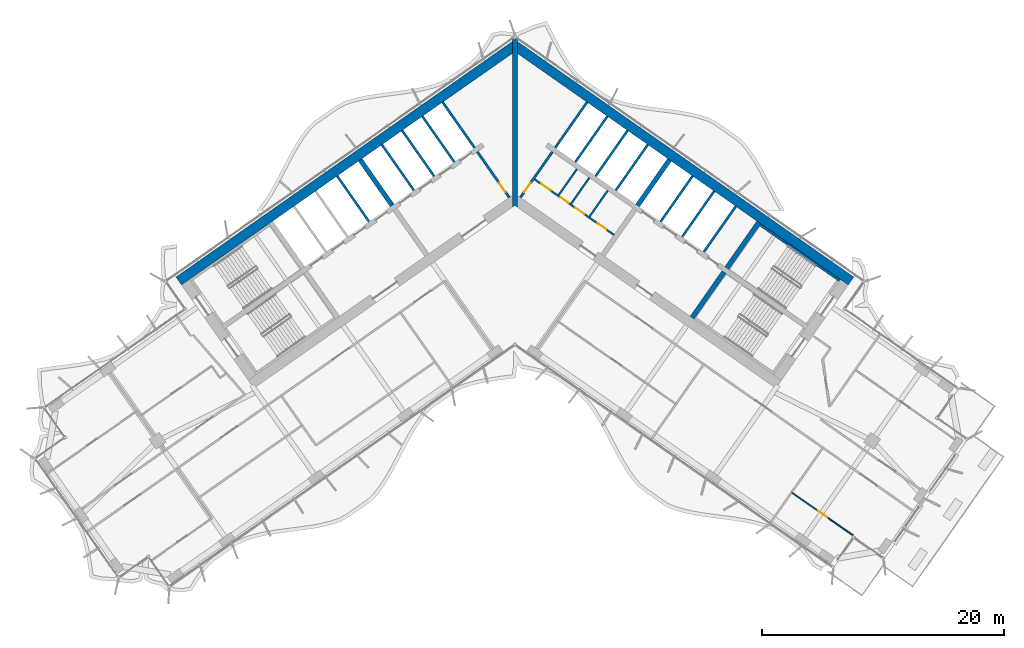
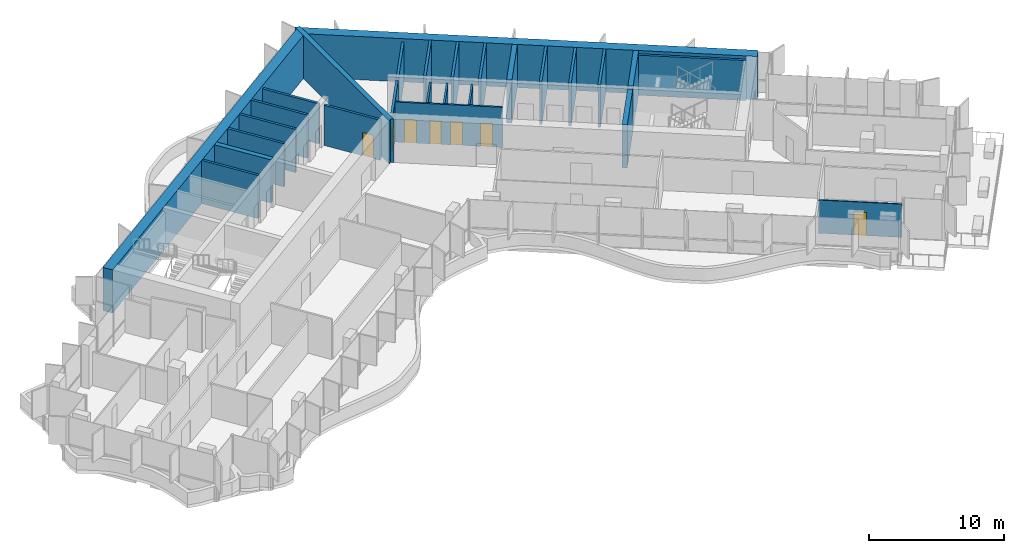
# One storey, part 14 of 22: 27 walls, 7 doors, 7 openings.
"""IFC4 building model written with IfcOpenShell, lengths in metres."""

from ifc_helpers import new_model, si_unit, direction, frame, frame_2d, origin, place, context, subcontext, project, spatial, polyline, rectangle, outline, extrude, material, layer, layer_set, type_object, element, fill, save


model = new_model("IFC4")

# Units and contexts
model_context = context("Model", 3, precision=1e-05, world=origin(), true_north=direction((0.0, 1.0)))
body_context = subcontext(model_context, "Body", "Model", "MODEL_VIEW")
ifc_project = project(units=[si_unit("LENGTHUNIT", "METRE"), si_unit("AREAUNIT", "SQUARE_METRE"), si_unit("VOLUMEUNIT", "CUBIC_METRE"), si_unit("PLANEANGLEUNIT", "RADIAN"), si_unit("MASSUNIT", "GRAM", prefix="KILO")], contexts=[model_context])

# Site, building, storey
site_placement = place(None, origin())
site = spatial("IfcSite", under=ifc_project, at=site_placement, CompositionType="ELEMENT")
building_placement = place(site_placement, origin())
building = spatial("IfcBuilding", under=site, at=building_placement, Name="Tel Ilan Convention Tower", CompositionType="ELEMENT")
storey_placement = place(building_placement, frame((0.0, 0.0, 143.699951171875)))
storey = spatial("IfcBuildingStorey", under=building, at=storey_placement, Name="L32", CompositionType="ELEMENT", Elevation=143.699951171875)

# Wall, openings, doors
ifc_material_1 = material(Name="Gypsum Plasterboard on Steel Stud", Category="steel")
ifc_layer_1 = layer(ifc_material_1, 0.14990234375)
ifc_layer_set_1 = layer_set([ifc_layer_1], Name="Core Room Partition Wall 150 mm EI 60")
wall_type_1 = type_object("IfcWallType", Name="Core Room Partition Wall 150 mm EI 60", PredefinedType="PARTITIONING", material=ifc_layer_set_1)
wall_1_placement = place(storey_placement, frame((1.63037109375, 0.93359375, 0.0), z_axis=(0.0, 0.0, 1.0), x_axis=(0.819165963305, -0.573556557423, 0.0)))
wall_1 = element("IfcWall", 1, at=wall_1_placement, inside=storey, type_object=wall_type_1, Name="L32 core wall wc-h1", PredefinedType="PARTITIONING", context=body_context, shape_type="SweptSolid", body=[
    extrude(rectangle(XDim=7.999755859375, YDim=0.14990234375, at=frame_2d((4.0, 0.0))), origin(), (0.0, 0.0, 1.0), 3.6201171875),
])
opening_1_placement = place(wall_1_placement, frame((0.699951171875, 0.0, 0.0)))
opening_1 = element("IfcOpeningElement", 2, at=opening_1_placement, cuts=wall_1, Name="Opening CD2610", PredefinedType="OPENING", context=body_context, shape_type="SweptSolid", body=[
    extrude(rectangle(XDim=0.89990234375, YDim=2.10009765625, at=frame_2d((0.449951171875, 1.050048828125))), frame((0.0, 0.0849609375, 0.0), z_axis=(0.0, -1.0, 0.0), x_axis=(1.0, 0.0, 0.0)), (0.0, 0.0, 1.0), 0.169921875),
])
opening_2_placement = place(wall_1_placement, frame((2.60009765625, 0.0, 0.0)))
opening_2 = element("IfcOpeningElement", 3, at=opening_2_placement, cuts=wall_1, Name="Opening CD2609", PredefinedType="OPENING", context=body_context, shape_type="SweptSolid", body=[
    extrude(rectangle(XDim=0.800048828125, YDim=2.10009765625, at=frame_2d((0.39990234375, 1.050048828125))), frame((0.0, 0.0849609375, 0.0), z_axis=(0.0, -1.0, 0.0), x_axis=(1.0, 0.0, 0.0)), (0.0, 0.0, 1.0), 0.169921875),
])
opening_3_placement = place(wall_1_placement, frame((4.10009765625, 0.0, 0.0)))
opening_3 = element("IfcOpeningElement", 4, at=opening_3_placement, cuts=wall_1, Name="Opening CD2608", PredefinedType="OPENING", context=body_context, shape_type="SweptSolid", body=[
    extrude(rectangle(XDim=0.89990234375, YDim=2.10009765625, at=frame_2d((0.449951171875, 1.050048828125))), frame((0.0, 0.0849609375, 0.0), z_axis=(0.0, -1.0, 0.0), x_axis=(1.0, 0.0, 0.0)), (0.0, 0.0, 1.0), 0.169921875),
])
opening_4_placement = place(wall_1_placement, frame((6.324951171875, 0.0, 0.0)))
opening_4 = element("IfcOpeningElement", 5, at=opening_4_placement, cuts=wall_1, Name="Opening CD2611", PredefinedType="OPENING", context=body_context, shape_type="SweptSolid", body=[
    extrude(rectangle(XDim=0.89990234375, YDim=2.10009765625, at=frame_2d((0.449951171875, 1.050048828125))), frame((0.0, 0.0849609375, 0.0), z_axis=(0.0, -1.0, 0.0), x_axis=(1.0, 0.0, 0.0)), (0.0, 0.0, 1.0), 0.169921875),
])
ifc_material_2 = material(Name="Galvanised Steel Door Leaf", Category="steel")
door_type_1 = type_object("IfcDoorType", Name="Store Door 800 x 2100 FD60", OperationType="NOTDEFINED", PredefinedType="DOOR", material=ifc_material_2)
door_1_placement = place(opening_2_placement, origin())
door_1 = element("IfcDoor", 6, at=door_1_placement, inside=storey, type_object=door_type_1, Name="Cleaner's store door", OperationType="SINGLE_SWING_RIGHT", OverallHeight=2.10009765625, OverallWidth=0.800048828125, PredefinedType="DOOR", context=body_context, shape_type="SweptSolid", body=[
    extrude(rectangle(XDim=0.800048828125, YDim=2.10009765625, at=frame_2d((0.39990234375, 1.050048828125))), frame((0.0, 0.02490234375, 0.0), z_axis=(0.0, -1.0, 0.0), x_axis=(1.0, 0.0, 0.0)), (0.0, 0.0, 1.0), 0.050048828125),
])
fill(opening_2, door_1)
ifc_material_3 = material(Name="Laminated Timber Door Leaf", Category="wood")
door_type_2 = type_object("IfcDoorType", Name="Toilet Door 900 x 2100 FD30S", OperationType="NOTDEFINED", PredefinedType="DOOR", material=ifc_material_3)
door_2_placement = place(opening_1_placement, origin())
door_2 = element("IfcDoor", 7, at=door_2_placement, inside=storey, type_object=door_type_2, Name="Men's WC door", OperationType="SINGLE_SWING_RIGHT", OverallHeight=2.10009765625, OverallWidth=0.89990234375, PredefinedType="DOOR", context=body_context, shape_type="SweptSolid", body=[
    extrude(rectangle(XDim=0.89990234375, YDim=2.10009765625, at=frame_2d((0.449951171875, 1.050048828125))), frame((0.0, 0.02490234375, 0.0), z_axis=(0.0, -1.0, 0.0), x_axis=(1.0, 0.0, 0.0)), (0.0, 0.0, 1.0), 0.050048828125),
])
fill(opening_1, door_2)
door_3_placement = place(opening_3_placement, origin())
door_3 = element("IfcDoor", 8, at=door_3_placement, inside=storey, type_object=door_type_2, Name="Accessible WC door", OperationType="SINGLE_SWING_RIGHT", OverallHeight=2.10009765625, OverallWidth=0.89990234375, PredefinedType="DOOR", context=body_context, shape_type="SweptSolid", body=[
    extrude(rectangle(XDim=0.89990234375, YDim=2.10009765625, at=frame_2d((0.449951171875, 1.050048828125))), frame((0.0, 0.02490234375, 0.0), z_axis=(0.0, -1.0, 0.0), x_axis=(1.0, 0.0, 0.0)), (0.0, 0.0, 1.0), 0.050048828125),
])
fill(opening_3, door_3)
door_4_placement = place(opening_4_placement, origin())
door_4 = element("IfcDoor", 9, at=door_4_placement, inside=storey, type_object=door_type_2, Name="Women's WC door", OperationType="SINGLE_SWING_RIGHT", OverallHeight=2.10009765625, OverallWidth=0.89990234375, PredefinedType="DOOR", context=body_context, shape_type="SweptSolid", body=[
    extrude(rectangle(XDim=0.89990234375, YDim=2.10009765625, at=frame_2d((0.449951171875, 1.050048828125))), frame((0.0, 0.02490234375, 0.0), z_axis=(0.0, -1.0, 0.0), x_axis=(1.0, 0.0, 0.0)), (0.0, 0.0, 1.0), 0.050048828125),
])
fill(opening_4, door_4)

# Walls
for number, where, z_axis, x_axis, name in (
    (10, (3.618896484375, -0.3671875, 0.0), (0.0, 0.0, 1.0), (0.573549726504, 0.819170746076, 0.0), "L32 core wall wc-v0"),
    (11, (4.642822265625, -1.083984375, 0.0), (0.0, 0.0, 1.0), (0.573593425114, 0.819140148367, 0.0), "L32 core wall wc-v1"),
    (12, (6.158203125, -2.145263671875, 0.0), (0.0, 0.0, 1.0), (0.573549726504, 0.819170746076, 0.0), "L32 core wall wc-v2"),
):
    element("IfcWall", number, at=place(storey_placement, frame(where, z_axis=z_axis, x_axis=x_axis)), inside=storey, type_object=wall_type_1, Name=name, PredefinedType="PARTITIONING", context=body_context, shape_type="SweptSolid", body=[
        extrude(rectangle(XDim=2.625, YDim=0.14990234375, at=frame_2d((1.3125, 0.0))), origin(), (0.0, 0.0, 1.0), 3.6201171875),
    ])

# Wall, opening, door
ifc_material_4 = material(Name="Concrete C30/37", Category="concrete")
ifc_layer_2 = layer(ifc_material_4, 0.199951171875)
ifc_layer_set_2 = layer_set([ifc_layer_2], Name="Core Service Room Wall 200 mm C30/37")
wall_type_2 = type_object("IfcWallType", Name="Core Service Room Wall 200 mm C30/37", PredefinedType="SOLIDWALL", material=ifc_layer_set_2)
wall_2_placement = place(storey_placement, frame((-0.458740234375, -0.565185546875, 0.0), z_axis=(0.0, 0.0, 1.0), x_axis=(-0.573576324356, 0.819152122709, 0.0)))
wall_2 = element("IfcWall", 13, at=wall_2_placement, inside=storey, type_object=wall_type_2, Name="L32 core wall apex-W", PredefinedType="SOLIDWALL", context=body_context, shape_type="SweptSolid", body=[
    extrude(rectangle(XDim=4.599853515625, YDim=0.199951171875, at=frame_2d((2.2998046875, 0.0))), origin(), (0.0, 0.0, 1.0), 3.6201171875),
])
opening_5_placement = place(wall_2_placement, frame((0.550048828125, 0.0, 0.0)))
opening_5 = element("IfcOpeningElement", 14, at=opening_5_placement, cuts=wall_2, Name="Opening CD2602", PredefinedType="OPENING", context=body_context, shape_type="SweptSolid", body=[
    extrude(rectangle(XDim=0.89990234375, YDim=2.10009765625, at=frame_2d((0.449951171875, 1.050048828125))), frame((0.0, 0.10986328125, 0.0), z_axis=(0.0, -1.0, 0.0), x_axis=(1.0, 0.0, 0.0)), (0.0, 0.0, 1.0), 0.219970703125),
])
ifc_material_5 = material(Name="Galvanised Steel Door Leaf", Category="steel")
door_type_3 = type_object("IfcDoorType", Name="Service Room Door 900 x 2100 FD60", OperationType="NOTDEFINED", PredefinedType="DOOR", material=ifc_material_5)
door_5_placement = place(opening_5_placement, origin())
door_5 = element("IfcDoor", 15, at=door_5_placement, inside=storey, type_object=door_type_3, Name="Riser Room door", OperationType="SINGLE_SWING_RIGHT", OverallHeight=2.10009765625, OverallWidth=0.89990234375, PredefinedType="DOOR", context=body_context, shape_type="SweptSolid", body=[
    extrude(rectangle(XDim=0.89990234375, YDim=2.10009765625, at=frame_2d((0.449951171875, 1.050048828125))), frame((0.0, 0.02490234375, 0.0), z_axis=(0.0, -1.0, 0.0), x_axis=(1.0, 0.0, 0.0)), (0.0, 0.0, 1.0), 0.050048828125),
])
fill(opening_5, door_5)

# Wall
wall_3_placement = place(storey_placement, frame((-3.32666015625, 3.530517578125, 0.0), z_axis=(0.0, 0.0, 1.0), x_axis=(-0.573576324356, 0.819152122709, 0.0)))
element("IfcWall", 16, at=wall_3_placement, inside=storey, type_object=wall_type_2, Name="L32 core wall apex-W-b", PredefinedType="SOLIDWALL", context=body_context, shape_type="SweptSolid", body=[
    extrude(rectangle(XDim=4.599853515625, YDim=0.199951171875, at=frame_2d((2.2998046875, 0.0))), origin(), (0.0, 0.0, 1.0), 3.6201171875),
])

# Wall, opening, door
wall_4_placement = place(storey_placement, frame((0.458740234375, -0.565185546875, 0.0), z_axis=(0.0, 0.0, 1.0), x_axis=(0.573576324356, 0.819152122709, 0.0)))
wall_4 = element("IfcWall", 17, at=wall_4_placement, inside=storey, type_object=wall_type_2, Name="L32 core wall apex-E", PredefinedType="SOLIDWALL", context=body_context, shape_type="SweptSolid", body=[
    extrude(rectangle(XDim=4.599853515625, YDim=0.199951171875, at=frame_2d((2.2998046875, 0.0))), origin(), (0.0, 0.0, 1.0), 3.6201171875),
])
opening_6_placement = place(wall_4_placement, frame((0.550048828125, 0.0, 0.0)))
opening_6 = element("IfcOpeningElement", 18, at=opening_6_placement, cuts=wall_4, Name="Opening CD2601", PredefinedType="OPENING", context=body_context, shape_type="SweptSolid", body=[
    extrude(rectangle(XDim=0.89990234375, YDim=2.10009765625, at=frame_2d((0.449951171875, 1.050048828125))), frame((0.0, 0.10986328125, 0.0), z_axis=(0.0, -1.0, 0.0), x_axis=(1.0, 0.0, 0.0)), (0.0, 0.0, 1.0), 0.219970703125),
])
door_6_placement = place(opening_6_placement, origin())
door_6 = element("IfcDoor", 19, at=door_6_placement, inside=storey, type_object=door_type_3, Name="Electrical Room door", OperationType="SINGLE_SWING_RIGHT", OverallHeight=2.10009765625, OverallWidth=0.89990234375, PredefinedType="DOOR", context=body_context, shape_type="SweptSolid", body=[
    extrude(rectangle(XDim=0.89990234375, YDim=2.10009765625, at=frame_2d((0.449951171875, 1.050048828125))), frame((0.0, 0.02490234375, 0.0), z_axis=(0.0, -1.0, 0.0), x_axis=(1.0, 0.0, 0.0)), (0.0, 0.0, 1.0), 0.050048828125),
])
fill(opening_6, door_6)

# Walls
wall_5_placement = place(storey_placement, frame((3.32666015625, 3.530517578125, 0.0), z_axis=(0.0, 0.0, 1.0), x_axis=(0.573576324356, 0.819152122709, 0.0)))
element("IfcWall", 20, at=wall_5_placement, inside=storey, type_object=wall_type_2, Name="L32 core wall apex-E-b", PredefinedType="SOLIDWALL", context=body_context, shape_type="SweptSolid", body=[
    extrude(rectangle(XDim=4.599853515625, YDim=0.199951171875, at=frame_2d((2.2998046875, 0.0))), origin(), (0.0, 0.0, 1.0), 3.6201171875),
])
ifc_material_6 = material(Name="Concrete C50/60", Category="concrete")
ifc_layer_3 = layer(ifc_material_6, 0.39990234375)
ifc_layer_set_3 = layer_set([ifc_layer_3], Name="Core Shear Wall 400 mm C50/60")
wall_type_3 = type_object("IfcWallType", Name="Core Shear Wall 400 mm C50/60", PredefinedType="SHEAR", material=ifc_layer_set_3)
wall_6_placement = place(storey_placement, frame((-10.12548828125, -1.230224609375, 0.0), z_axis=(0.0, 0.0, 1.0), x_axis=(-0.573576324356, 0.819152122709, 0.0)))
element("IfcWall", 21, at=wall_6_placement, inside=storey, type_object=wall_type_3, Name="L32 core wall W-cross1-2", PredefinedType="SHEAR", context=body_context, shape_type="SweptSolid", body=[
    extrude(outline(polyline([(4.60009765625, -0.199951171875), (4.599853515625, 0.199951171875), (0.0, 0.2001953125), (0.0, -0.199951171875), (4.60009765625, -0.199951171875)])), origin(), (0.0, 0.0, 1.0), 3.900146484375),
])
wall_7_placement = place(storey_placement, frame((10.12548828125, -1.230224609375, 0.0), z_axis=(0.0, 0.0, 1.0), x_axis=(0.573576324356, 0.819152122709, 0.0)))
element("IfcWall", 22, at=wall_7_placement, inside=storey, type_object=wall_type_3, Name="L32 core wall E-cross1-2", PredefinedType="SHEAR", context=body_context, shape_type="SweptSolid", body=[
    extrude(outline(polyline([(4.599853515625, -0.199951171875), (4.60009765625, 0.199951171875), (0.0, 0.199951171875), (0.0, -0.2001953125), (4.599853515625, -0.199951171875)])), origin(), (0.0, 0.0, 1.0), 3.900146484375),
])
wall_8_placement = place(storey_placement, frame((14.6298828125, -10.48828125, 0.0), z_axis=(0.0, 0.0, 1.0), x_axis=(0.573611936273, 0.819127185829, 0.0)))
element("IfcWall", 23, at=wall_8_placement, inside=storey, type_object=wall_type_3, Name="L32 core wall E-cross2-1", PredefinedType="SHEAR", context=body_context, shape_type="SweptSolid", body=[
    extrude(outline(polyline([(0.000244140625, 0.199951171875), (0.000244140625, -0.2001953125), (4.60009765625, -0.199951171875), (4.60009765625, 0.2001953125), (0.000244140625, 0.199951171875)])), origin(), (0.0, 0.0, 1.0), 3.900146484375),
])
wall_9_placement = place(storey_placement, frame((17.497802734375, -6.392333984375, 0.0), z_axis=(0.0, 0.0, 1.0), x_axis=(0.573611936273, 0.819127185829, 0.0)))
element("IfcWall", 24, at=wall_9_placement, inside=storey, type_object=wall_type_3, Name="L32 core wall E-cross2-2", PredefinedType="SHEAR", context=body_context, shape_type="SweptSolid", body=[
    extrude(outline(polyline([(4.599853515625, -0.199951171875), (4.599853515625, 0.2001953125), (0.0, 0.199951171875), (0.0, -0.2001953125), (4.599853515625, -0.199951171875)])), origin(), (0.0, 0.0, 1.0), 3.900146484375),
])
wall_10_placement = place(storey_placement, frame((0.0, -1.36083984375, 0.0), z_axis=(0.0, 0.0, 1.0), x_axis=(0.0, 1.0, 0.0)))
element("IfcWall", 25, at=wall_10_placement, inside=storey, type_object=wall_type_3, Name="L32 core wall K-central", PredefinedType="SHEAR", context=body_context, shape_type="SweptSolid", body=[
    extrude(outline(polyline([(0.0, -0.199951171875), (0.14013671875, -0.199951171875), (1.0751953125, -0.199951171875), (12.696044921875, -0.199951171875), (13.812744140625, -0.199951171875), (13.893310546875, -0.199951171875), (13.933349609375, -0.172119140625), (13.812744140625, 0.0), (13.933349609375, 0.172119140625), (13.893310546875, 0.199951171875), (13.812744140625, 0.199951171875), (12.696044921875, 0.199951171875), (1.0751953125, 0.199951171875), (0.14013671875, 0.199951171875), (0.0, 0.199951171875), (0.14013671875, 0.0), (0.0, -0.199951171875)])), origin(), (0.0, 0.0, 1.0), 3.900146484375),
])
ifc_material_7 = material(Name="Concrete C50/60", Category="concrete")
ifc_layer_4 = layer(ifc_material_7, 0.800048828125)
ifc_layer_set_4 = layer_set([ifc_layer_4], Name="Core Shear Wall 800 mm C50/60")
wall_type_4 = type_object("IfcWallType", Name="Core Shear Wall 800 mm C50/60", PredefinedType="SHEAR", material=ifc_layer_set_4)
wall_11_placement = place(storey_placement, frame((0.029296875, 11.984130859375, 0.0), z_axis=(0.0, 0.0, 1.0), x_axis=(-0.819151382952, -0.573577380837, 0.0)))
element("IfcWall", 26, at=wall_11_placement, inside=storey, type_object=wall_type_4, Name="L32 core wall W-back", PredefinedType="SHEAR", context=body_context, shape_type="SweptSolid", body=[
    extrude(outline(polyline([(33.897705078125, 0.39990234375), (0.56005859375, 0.400146484375), (-0.000244140625, -0.39990234375), (33.897705078125, -0.400146484375), (33.897705078125, 0.39990234375)])), origin(), (0.0, 0.0, 1.0), 3.900146484375),
])
wall_12_placement = place(storey_placement, frame((-0.029296875, 11.984130859375, 0.0), z_axis=(0.0, 0.0, 1.0), x_axis=(0.819151382952, -0.573577380837, 0.0)))
element("IfcWall", 27, at=wall_12_placement, inside=storey, type_object=wall_type_4, Name="L32 core wall E-back", PredefinedType="SHEAR", context=body_context, shape_type="SweptSolid", body=[
    extrude(outline(polyline([(33.897705078125, 0.400146484375), (-0.000244140625, 0.39990234375), (0.56005859375, -0.400146484375), (33.897705078125, -0.39990234375), (33.897705078125, 0.400146484375)])), origin(), (0.0, 0.0, 1.0), 3.900146484375),
])
ifc_material_8 = material(Name="Concrete C30/37", Category="concrete")
ifc_layer_5 = layer(ifc_material_8, 0.199951171875)
ifc_layer_set_5 = layer_set([ifc_layer_5], Name="Lift Shaft Wall 200 mm C30/37")
wall_type_5 = type_object("IfcWallType", Name="Lift Shaft Wall 200 mm C30/37", PredefinedType="SOLIDWALL", material=ifc_layer_set_5)
for number, where, z_axis, x_axis, name in (
    (28, (-4.99560546875, 2.36181640625, 0.0), (0.0, 0.0, 1.0), (-0.573576324356, 0.819152122709, 0.0), "L32 core wall bank-W1-p0"),
    (29, (-6.66455078125, 1.193115234375, 0.0), (0.0, 0.0, 1.0), (-0.573576324356, 0.819152122709, 0.0), "L32 core wall bank-W1-p1"),
):
    element("IfcWall", number, at=place(storey_placement, frame(where, z_axis=z_axis, x_axis=x_axis)), inside=storey, type_object=wall_type_5, Name=name, PredefinedType="SOLIDWALL", context=body_context, shape_type="SweptSolid", body=[
        extrude(rectangle(XDim=4.599853515625, YDim=0.199951171875, at=frame_2d((2.2998046875, 0.0))), origin(), (0.0, 0.0, 1.0), 3.900146484375),
    ])
wall_13_placement = place(storey_placement, frame((-8.33349609375, 0.0244140625, 0.0), z_axis=(0.0, 0.0, 1.0), x_axis=(-0.573611936273, 0.819127185829, 0.0)))
element("IfcWall", 30, at=wall_13_placement, inside=storey, type_object=wall_type_5, Name="L32 core wall bank-W1-p2", PredefinedType="SOLIDWALL", context=body_context, shape_type="SweptSolid", body=[
    extrude(rectangle(XDim=4.60009765625, YDim=0.199951171875, at=frame_2d((2.300048828125, 0.0))), origin(), (0.0, 0.0, 1.0), 3.900146484375),
])
for number, where, z_axis, x_axis, name in (
    (31, (-12.030029296875, -2.563720703125, 0.0), (0.0, 0.0, 1.0), (-0.573576324356, 0.819152122709, 0.0), "L32 core wall bank-W2-p0"),
    (32, (4.99560546875, 2.36181640625, 0.0), (0.0, 0.0, 1.0), (0.573576324356, 0.819152122709, 0.0), "L32 core wall bank-E1-p0"),
    (33, (6.66455078125, 1.193115234375, 0.0), (0.0, 0.0, 1.0), (0.573576324356, 0.819152122709, 0.0), "L32 core wall bank-E1-p1"),
):
    element("IfcWall", number, at=place(storey_placement, frame(where, z_axis=z_axis, x_axis=x_axis)), inside=storey, type_object=wall_type_5, Name=name, PredefinedType="SOLIDWALL", context=body_context, shape_type="SweptSolid", body=[
        extrude(rectangle(XDim=4.599853515625, YDim=0.199951171875, at=frame_2d((2.2998046875, 0.0))), origin(), (0.0, 0.0, 1.0), 3.900146484375),
    ])
wall_14_placement = place(storey_placement, frame((8.33349609375, 0.0244140625, 0.0), z_axis=(0.0, 0.0, 1.0), x_axis=(0.573611936273, 0.819127185829, 0.0)))
element("IfcWall", 34, at=wall_14_placement, inside=storey, type_object=wall_type_5, Name="L32 core wall bank-E1-p2", PredefinedType="SOLIDWALL", context=body_context, shape_type="SweptSolid", body=[
    extrude(rectangle(XDim=4.60009765625, YDim=0.199951171875, at=frame_2d((2.300048828125, 0.0))), origin(), (0.0, 0.0, 1.0), 3.900146484375),
])
for number, where, z_axis, x_axis, name in (
    (35, (12.030029296875, -2.563720703125, 0.0), (0.0, 0.0, 1.0), (0.573576324356, 0.819152122709, 0.0), "L32 core wall bank-E2-p0"),
    (36, (13.811767578125, -3.811279296875, 0.0), (0.0, 0.0, 1.0), (0.573576324356, 0.819152122709, 0.0), "L32 core wall bank-E2-p1"),
    (37, (15.593505859375, -5.058837890625, 0.0), (0.0, 0.0, 1.0), (0.573540709186, 0.819177059558, 0.0), "L32 core wall bank-E2-p2"),
):
    element("IfcWall", number, at=place(storey_placement, frame(where, z_axis=z_axis, x_axis=x_axis)), inside=storey, type_object=wall_type_5, Name=name, PredefinedType="SOLIDWALL", context=body_context, shape_type="SweptSolid", body=[
        extrude(rectangle(XDim=4.599853515625, YDim=0.199951171875, at=frame_2d((2.2998046875, 0.0))), origin(), (0.0, 0.0, 1.0), 3.900146484375),
    ])

# Wall, opening, door
ifc_material_9 = material(Name="Plasterboard on Steel Studs", Category="steel")
ifc_layer_6 = layer(ifc_material_9, 0.10009765625)
ifc_layer_set_6 = layer_set([ifc_layer_6], Name="Plasterboard Partition 100")
wall_type_6 = type_object("IfcWallType", Name="Plasterboard Partition 100", PredefinedType="PARTITIONING", material=ifc_layer_set_6)
wall_15_placement = place(storey_placement, frame((27.923095703125, -28.46484375, 0.0), z_axis=(0.0, 0.0, 1.0), x_axis=(-0.819159766912, 0.573565407145, 0.0)))
wall_15 = element("IfcWall", 38, at=wall_15_placement, inside=storey, type_object=wall_type_6, Name="Partition 024", PredefinedType="PARTITIONING", context=body_context, shape_type="SweptSolid", body=[
    extrude(rectangle(XDim=6.2001953125, YDim=0.10009765625, at=frame_2d((3.10009765625, 0.0))), origin(), (0.0, 0.0, 1.0), 3.0),
])
opening_7_placement = place(wall_15_placement, frame((2.64990234375, 0.0, 0.0)))
opening_7 = element("IfcOpeningElement", 39, at=opening_7_placement, cuts=wall_15, Name="Opening L32-014", PredefinedType="OPENING", context=body_context, shape_type="SweptSolid", body=[
    extrude(rectangle(XDim=0.89990234375, YDim=2.10009765625, at=frame_2d((0.449951171875, 1.050048828125))), frame((0.0, 0.06005859375, 0.0), z_axis=(0.0, -1.0, 0.0), x_axis=(1.0, 0.0, 0.0)), (0.0, 0.0, 1.0), 0.1201171875),
])
ifc_material_10 = material(Name="Timber Door Leaf in Steel Frame", Category="steel")
door_type_4 = type_object("IfcDoorType", Name="Room Timber Door 900x2100", OperationType="NOTDEFINED", PredefinedType="DOOR", material=ifc_material_10)
door_7_placement = place(opening_7_placement, origin())
door_7 = element("IfcDoor", 40, at=door_7_placement, inside=storey, type_object=door_type_4, Name="Door L32-014", OperationType="SINGLE_SWING_LEFT", OverallHeight=2.10009765625, OverallWidth=0.89990234375, PredefinedType="DOOR", context=body_context, shape_type="SweptSolid", body=[
    extrude(rectangle(XDim=0.89990234375, YDim=2.10009765625, at=frame_2d((0.449951171875, 1.050048828125))), frame((0.0, 0.02490234375, 0.0), z_axis=(0.0, -1.0, 0.0), x_axis=(1.0, 0.0, 0.0)), (0.0, 0.0, 1.0), 0.050048828125),
])
fill(opening_7, door_7)

# Wall
ifc_material_11 = material(Name="Concrete C30/37", Category="concrete")
ifc_layer_7 = layer(ifc_material_11, 0.199951171875)
ifc_layer_set_7 = layer_set([ifc_layer_7], Name="Stair and Shaft Lining Wall 200 mm C30/37")
wall_type_7 = type_object("IfcWallType", Name="Stair and Shaft Lining Wall 200 mm C30/37", PredefinedType="SOLIDWALL", material=ifc_layer_set_7)
wall_16_placement = place(storey_placement, frame((20.242919921875, -2.821044921875, 0.0), z_axis=(0.0, 0.0, 1.0), x_axis=(0.819141584393, -0.57359137434, 0.0)))
element("IfcWall", 41, at=wall_16_placement, inside=storey, type_object=wall_type_7, Name="L32 core wall lining-S3-t1", PredefinedType="SOLIDWALL", context=body_context, shape_type="SweptSolid", body=[
    extrude(rectangle(XDim=7.999755859375, YDim=0.199951171875, at=frame_2d((4.0, 0.0))), origin(), (0.0, 0.0, 1.0), 3.6201171875),
])

save(model, "model.ifc")
